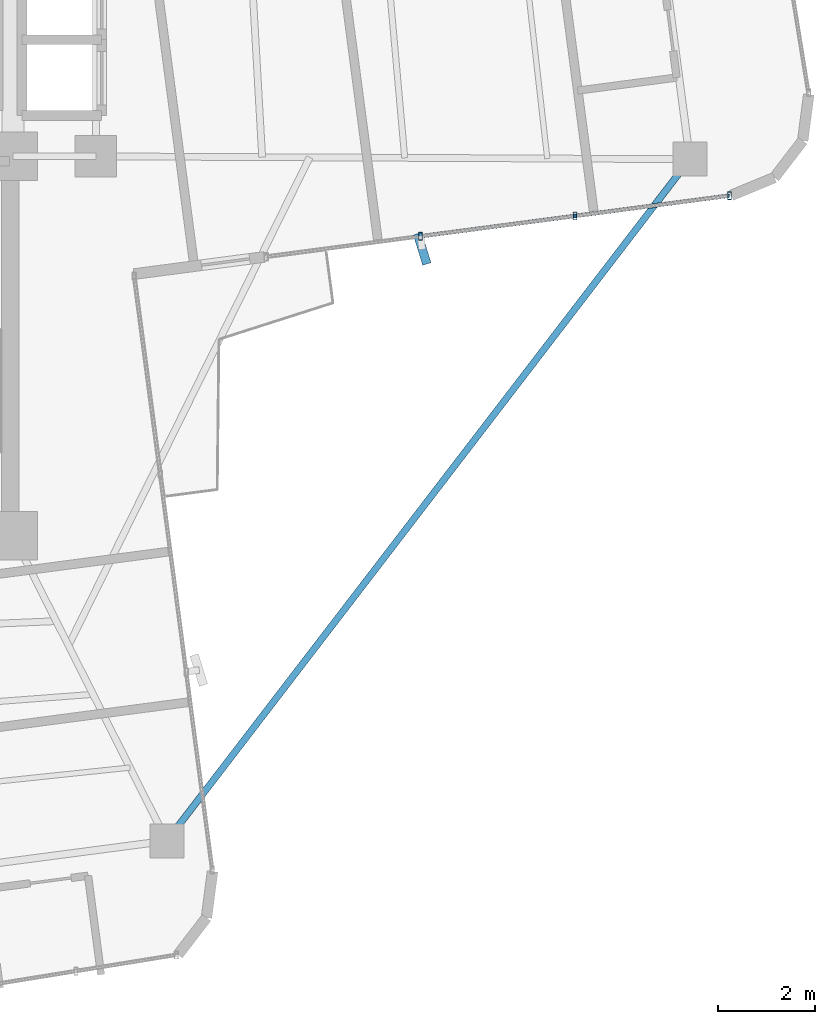
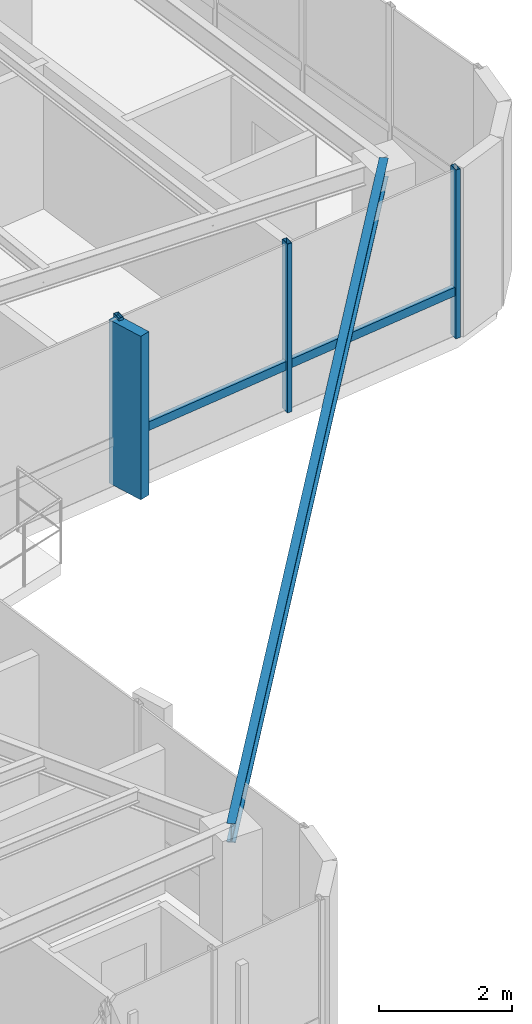
# One storey, part 12 of 22: 6 members, 1 beam, 1 element without a shape of its own.
"""IFC4 building model written with IfcOpenShell, lengths in metres."""

from ifc_helpers import new_model, si_unit, direction, frame, origin, origin_2d, place, context, subcontext, project, spatial, rectangle, hollow_rectangle, i_section, extrude, source, transform, mapped, material, material_profile, profile_set, type_object, element, aggregate, save


model = new_model("IFC4")

# Units and contexts
model_context = context("Model", 3, precision=1e-05, world=origin(), true_north=direction((0.0, 1.0)))
body_context = subcontext(model_context, "Body", "Model", "MODEL_VIEW")
ifc_project = project(units=[si_unit("LENGTHUNIT", "METRE"), si_unit("AREAUNIT", "SQUARE_METRE"), si_unit("VOLUMEUNIT", "CUBIC_METRE"), si_unit("PLANEANGLEUNIT", "RADIAN"), si_unit("MASSUNIT", "GRAM", prefix="KILO")], contexts=[model_context])

# Site, building, storey
site_placement = place(None, origin())
site = spatial("IfcSite", under=ifc_project, at=site_placement, CompositionType="ELEMENT")
building_placement = place(site_placement, origin())
building = spatial("IfcBuilding", under=site, at=building_placement, Name="Sahyath Konkavel Grand Hotel", CompositionType="ELEMENT")
storey_placement = place(building_placement, frame((0.0, 0.0, 269.10009765625)))
storey = spatial("IfcBuildingStorey", under=building, at=storey_placement, Name="L75", CompositionType="ELEMENT", Elevation=269.10009765625)

# Beam
ifc_material_1 = material(Name="Steel E350", Category="steel")
ifc_material_profile_1 = material_profile(ifc_material_1, i_section(OverallWidth=0.139892578125, OverallDepth=0.35009765625, WebThickness=0.008056640625, FlangeThickness=0.01416015625, FilletRadius=0.013916015625, at=origin_2d()), Name="ISMB 350")
ifc_profile_set_1 = profile_set([ifc_material_profile_1], Name="Steel E350")
beam_type = type_object("IfcBeamType", Name="BM-ISMB350", PredefinedType="BEAM", material=ifc_profile_set_1)
shared_shape_1 = source(origin(), body_context, "Body", "SweptSolid", [
    extrude(i_section(OverallWidth=0.139892578125, OverallDepth=0.35009765625, WebThickness=0.008056640625, FlangeThickness=0.01416015625, FilletRadius=0.013916015625, at=origin_2d()), origin(), (0.0, 0.0, 1.0), 17.663330078125),
])
beam_placement = place(storey_placement, frame((17.71240234375, -2.458984375, 2.934814453125), z_axis=(-0.608754453805, -0.793358692504, 0.0), x_axis=(0.793358692504, -0.608754453805, 0.0)))
element("IfcBeam", 1, at=beam_placement, inside=storey, type_object=beam_type, Name="L75 Re-Entrant Tie Beam SE", PredefinedType="BEAM", context=body_context, shape_type="MappedRepresentation", body=[
    mapped(shared_shape_1, transform((0.0, 0.0, 0.0), scale=1.0)),
])

# Curtain wall, members
ifc_material_2 = material(Name="Anodised Bronze Aluminium & Low-E Glazing", Category="aluminium")
curtain_wall_type = type_object("IfcCurtainWallType", Name="CW-ZONE4", PredefinedType="NOTDEFINED", material=ifc_material_2)
curtain_wall_placement = place(storey_placement, origin())
curtain_wall = element("IfcCurtainWall", 2, at=curtain_wall_placement, inside=storey, type_object=curtain_wall_type, Name="L75 Unitised Curtain Wall F0", PredefinedType="NOTDEFINED")
ifc_material_3 = material(Name="Anodised Bronze Aluminium", Category="aluminium")
ifc_material_profile_2 = material_profile(ifc_material_3, hollow_rectangle(XDim=0.080078125, YDim=0.159912109375, WallThickness=0.006103515625, at=origin_2d()), Name="RHS 160x80x6")
ifc_profile_set_2 = profile_set([ifc_material_profile_2], Name="Anodised Bronze Aluminium")
member_type_1 = type_object("IfcMemberType", Name="CW-MUL-160", PredefinedType="MULLION", material=ifc_profile_set_2)
shared_shape_2 = source(origin(), body_context, "Body", "SweptSolid", [
    extrude(hollow_rectangle(XDim=0.080078125, YDim=0.159912109375, WallThickness=0.006103515625, at=origin_2d()), origin(), (0.0, 0.0, 1.0), 3.10986328125),
])
member_1_placement = place(storey_placement, frame((12.175537109375, -4.04541015625, 0.0), z_axis=(0.0, 0.0, 1.0), x_axis=(1.0, 0.0, 0.0)))
member_1 = element("IfcMember", 3, at=member_1_placement, type_object=member_type_1, Name="L75 Curtain Wall Mullion F0-1", PredefinedType="MULLION", context=body_context, shape_type="MappedRepresentation", body=[
    mapped(shared_shape_2, transform((0.0, 0.0, 0.0), scale=1.0)),
])
member_2_placement = place(storey_placement, frame((15.351318359375, -3.627197265625, 0.0), z_axis=(0.0, 0.0, 1.0), x_axis=(1.0, 0.0, 0.0)))
member_2 = element("IfcMember", 4, at=member_2_placement, type_object=member_type_1, Name="L75 Curtain Wall Mullion F0-2", PredefinedType="MULLION", context=body_context, shape_type="MappedRepresentation", body=[
    mapped(shared_shape_2, transform((0.0, 0.0, 0.0), scale=1.0)),
])
member_3_placement = place(storey_placement, frame((18.52734375, -3.208984375, 0.0), z_axis=(0.0, 0.0, 1.0), x_axis=(1.0, 0.0, 0.0)))
member_3 = element("IfcMember", 5, at=member_3_placement, type_object=member_type_1, Name="L75 Curtain Wall Mullion F0-3", PredefinedType="MULLION", context=body_context, shape_type="MappedRepresentation", body=[
    mapped(shared_shape_2, transform((0.0, 0.0, 0.0), scale=1.0)),
])
ifc_material_4 = material(Name="Warm Buff Sandstone Cladding on Concrete C50/60", Category="masonry")
ifc_material_profile_3 = material_profile(ifc_material_4, rectangle(XDim=0.179931640625, YDim=0.64990234375, at=origin_2d()), Name="FIN 180x650")
ifc_profile_set_3 = profile_set([ifc_material_profile_3], Name="Warm Buff Sandstone Cladding on Concrete C50/60")
member_type_2 = type_object("IfcMemberType", Name="FIN-SANDSTONE-650", PredefinedType="MULLION", material=ifc_profile_set_3)
shared_shape_3 = source(origin(), body_context, "Body", "SweptSolid", [
    extrude(rectangle(XDim=0.179931640625, YDim=0.64990234375, at=origin_2d()), origin(), (0.0, 0.0, 1.0), 3.010009765625),
])
member_4_placement = place(storey_placement, frame((12.20947265625, -4.30322265625, 0.0498046875), z_axis=(0.0, 0.0, 1.0), x_axis=(0.955690317134, 0.294373942013, 0.0)))
member_4 = element("IfcMember", 6, at=member_4_placement, type_object=member_type_2, Name="L75 Sandstone Vertical Solar Fin FIN F0-1", PredefinedType="MULLION", context=body_context, shape_type="MappedRepresentation", body=[
    mapped(shared_shape_3, transform((0.0, 0.0, 0.0), scale=1.0)),
])
ifc_material_profile_4 = material_profile(ifc_material_3, hollow_rectangle(XDim=0.080078125, YDim=0.159912109375, WallThickness=0.006103515625, at=origin_2d()), Name="RHS 160x80x6")
ifc_profile_set_4 = profile_set([ifc_material_profile_4], Name="Anodised Bronze Aluminium")
member_type_3 = type_object("IfcMemberType", Name="CW-TRN-160", PredefinedType="USERDEFINED", material=ifc_profile_set_4)
shared_shape_4 = source(origin(), body_context, "Body", "SweptSolid", [
    extrude(hollow_rectangle(XDim=0.080078125, YDim=0.159912109375, WallThickness=0.006103515625, at=origin_2d()), origin(), (0.0, 0.0, 1.0), 3.203369140625),
])
member_5_placement = place(storey_placement, frame((15.351318359375, -3.627197265625, 0.849853515625), z_axis=(0.991441580194, 0.130551112835, 0.0), x_axis=(-0.130551112835, 0.991441580194, 0.0)))
member_5 = element("IfcMember", 7, at=member_5_placement, type_object=member_type_3, Name="L75 Curtain Wall Transom F0-2-spandrel", ObjectType="TRANSOM", PredefinedType="USERDEFINED", context=body_context, shape_type="MappedRepresentation", body=[
    mapped(shared_shape_4, transform((0.0, 0.0, 0.0), scale=1.0)),
])
shared_shape_5 = source(origin(), body_context, "Body", "SweptSolid", [
    extrude(hollow_rectangle(XDim=0.080078125, YDim=0.159912109375, WallThickness=0.006103515625, at=origin_2d()), origin(), (0.0, 0.0, 1.0), 3.203125),
])
member_6_placement = place(storey_placement, frame((12.175537109375, -4.04541015625, 0.849853515625), z_axis=(0.991440281121, 0.13056097798, 0.0), x_axis=(-0.13056097798, 0.991440281121, 0.0)))
member_6 = element("IfcMember", 8, at=member_6_placement, type_object=member_type_3, Name="L75 Curtain Wall Transom F0-1-spandrel", ObjectType="TRANSOM", PredefinedType="USERDEFINED", context=body_context, shape_type="MappedRepresentation", body=[
    mapped(shared_shape_5, transform((0.0, 0.0, 0.0), scale=1.0)),
])
aggregate(curtain_wall, [member_1, member_4, member_2, member_3, member_6, member_5])

save(model, "model.ifc")
